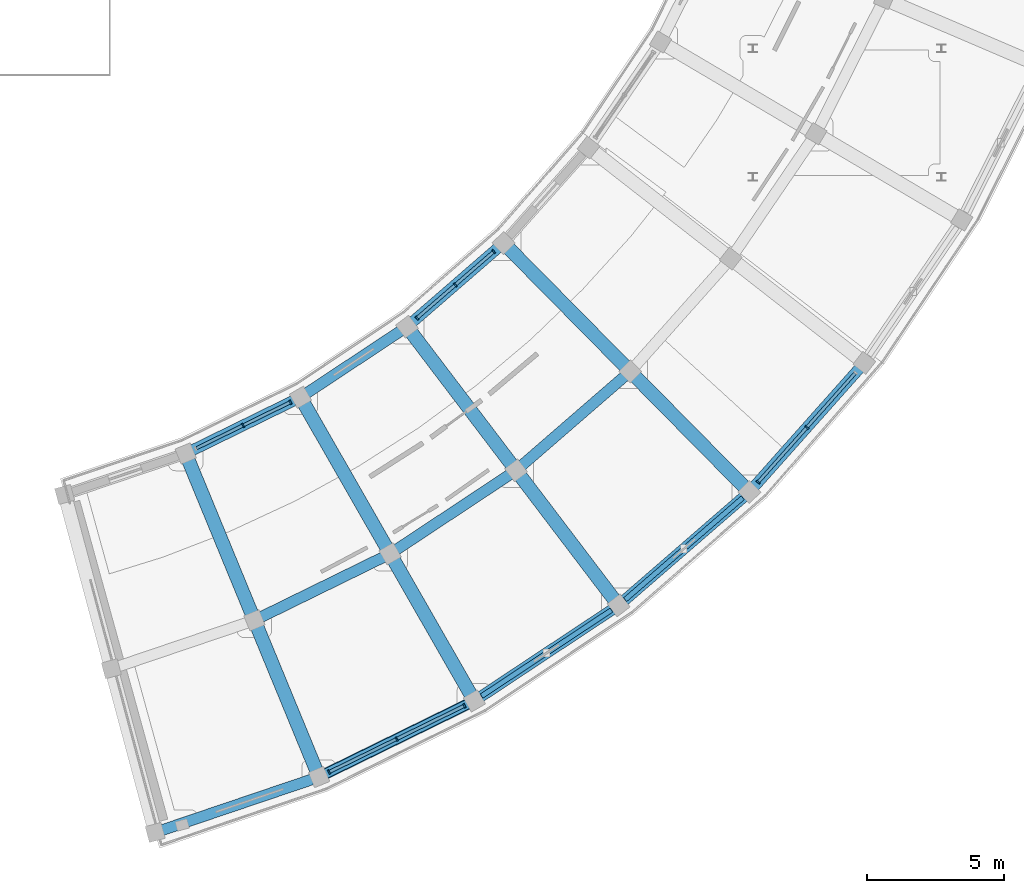
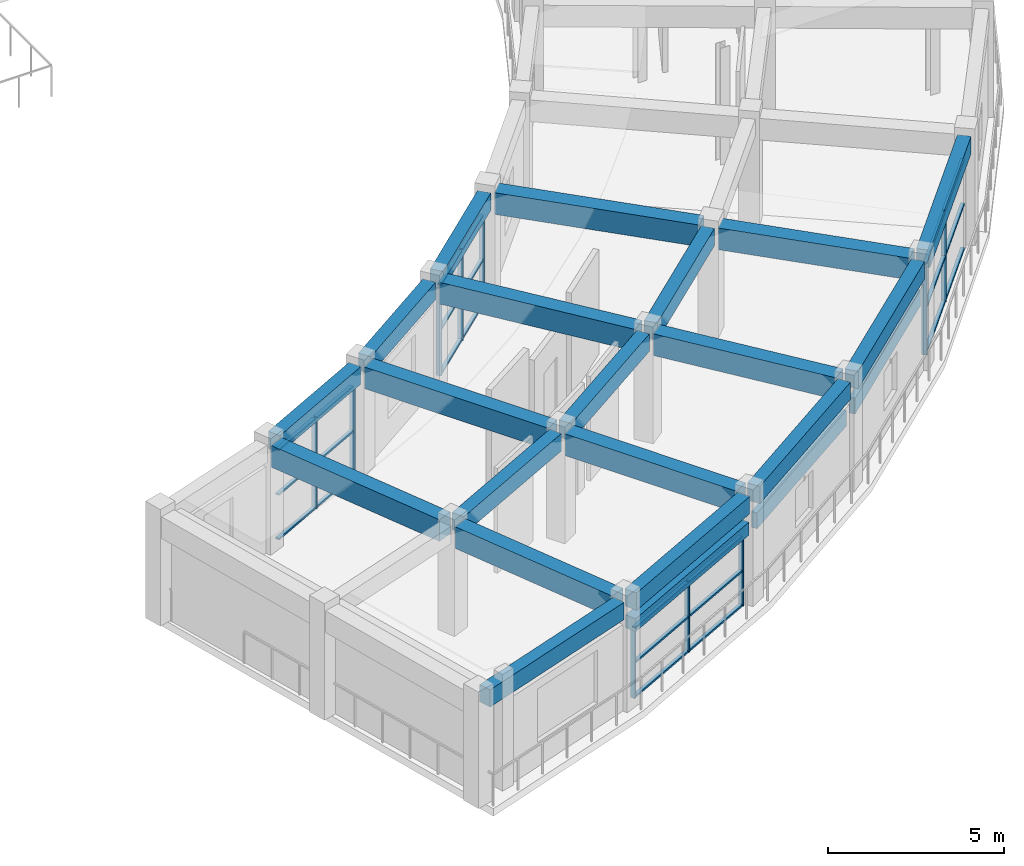
# One storey, part 16 of 53: 36 members, 20 beams, 4 elements without a shape of their own.
"""IFC4 building model written with IfcOpenShell, lengths in metres."""

from ifc_helpers import new_model, si_unit, direction, frame, origin, origin_2d, place, context, subcontext, project, spatial, rectangle, extrude, material, material_profile, profile_set, type_object, element, aggregate, save


model = new_model("IFC4")

# Units and contexts
model_context = context("Model", 3, precision=1e-05, world=origin(), true_north=direction((0.0, 1.0)))
body_context = subcontext(model_context, "Body", "Model", "MODEL_VIEW")
ifc_project = project(units=[si_unit("LENGTHUNIT", "METRE"), si_unit("AREAUNIT", "SQUARE_METRE"), si_unit("VOLUMEUNIT", "CUBIC_METRE"), si_unit("PLANEANGLEUNIT", "RADIAN"), si_unit("MASSUNIT", "GRAM", prefix="KILO")], contexts=[model_context])

# Site, building, storey
site_placement = place(None, origin())
site = spatial("IfcSite", under=ifc_project, at=site_placement, CompositionType="ELEMENT")
building_placement = place(site_placement, origin())
building = spatial("IfcBuilding", under=site, at=building_placement, Name="Saryqyr Civic Hall", CompositionType="ELEMENT")
storey_placement = place(building_placement, frame((0.0, 0.0, 21.300048828125)))
storey = spatial("IfcBuildingStorey", under=building, at=storey_placement, Name="L05", CompositionType="ELEMENT", Elevation=21.300048828125)

# Curtain wall, members
ifc_material_1 = material(Name="Anodised aluminium and triple low-E glass", Category="aluminium")
curtain_wall_type_1 = type_object("IfcCurtainWallType", Name="ENV-CW-STD-03", PredefinedType="NOTDEFINED", material=ifc_material_1)
curtain_wall_1_placement = place(storey_placement, origin())
curtain_wall_1 = element("IfcCurtainWall", 1, at=curtain_wall_1_placement, inside=storey, type_object=curtain_wall_type_1, Name="Curtain wall V5-CWO-L05-01", PredefinedType="NOTDEFINED")
ifc_material_2 = material(Name="Anodised aluminium", Category="aluminium")
ifc_material_profile_1 = material_profile(ifc_material_2, rectangle(XDim=0.06005859375, YDim=0.159912109375, at=origin_2d()), Name="ALU MULLION 60x160")
ifc_profile_set_1 = profile_set([ifc_material_profile_1], Name="Anodised aluminium")
member_type_1 = type_object("IfcMemberType", Name="ENV-CW-MUL-180", PredefinedType="MULLION", material=ifc_profile_set_1)
member_1_placement = place(storey_placement, frame((80.9921875, 41.303955078125, 0.0), z_axis=(0.0, 0.0, 1.0), x_axis=(-0.89797065456, -0.440055341463, 0.0)))
member_1 = element("IfcMember", 2, at=member_1_placement, type_object=member_type_1, Name="CW-03 mullion 1", PredefinedType="MULLION", context=body_context, shape_type="SweptSolid", body=[
    extrude(rectangle(XDim=0.06005859375, YDim=0.159912109375, at=origin_2d()), origin(), (0.0, 0.0, 1.0), 2.449951171875),
])
member_2_placement = place(storey_placement, frame((78.517822265625, 40.09130859375, 0.0), z_axis=(0.0, 0.0, 1.0), x_axis=(-0.89797065456, -0.440055341463, 0.0)))
member_2 = element("IfcMember", 3, at=member_2_placement, type_object=member_type_1, Name="CW-03 mullion 2", PredefinedType="MULLION", context=body_context, shape_type="SweptSolid", body=[
    extrude(rectangle(XDim=0.06005859375, YDim=0.159912109375, at=origin_2d()), origin(), (0.0, 0.0, 1.0), 2.449951171875),
])
member_3_placement = place(storey_placement, frame((76.04345703125, 38.878662109375, 0.0), z_axis=(0.0, 0.0, 1.0), x_axis=(-0.89797065456, -0.440055341463, 0.0)))
member_3 = element("IfcMember", 4, at=member_3_placement, type_object=member_type_1, Name="CW-03 mullion 3", PredefinedType="MULLION", context=body_context, shape_type="SweptSolid", body=[
    extrude(rectangle(XDim=0.06005859375, YDim=0.159912109375, at=origin_2d()), origin(), (0.0, 0.0, 1.0), 2.449951171875),
])

curtain_wall_type_2 = type_object("IfcCurtainWallType", Name="ENV-CW-STD-25", PredefinedType="NOTDEFINED", material=ifc_material_1)
curtain_wall_2_placement = place(storey_placement, origin())
curtain_wall_2 = element("IfcCurtainWall", 5, at=curtain_wall_2_placement, inside=storey, type_object=curtain_wall_type_2, Name="Curtain wall V5-CWI-L05-01", PredefinedType="NOTDEFINED")
member_4_placement = place(storey_placement, frame((72.896728515625, 51.561279296875, 0.0), z_axis=(0.0, 0.0, 1.0), x_axis=(0.897961859945, 0.440073287175, 0.0)))
member_4 = element("IfcMember", 6, at=member_4_placement, type_object=member_type_1, Name="CW-25 mullion 2", PredefinedType="MULLION", context=body_context, shape_type="SweptSolid", body=[
    extrude(rectangle(XDim=0.06005859375, YDim=0.159912109375, at=origin_2d()), origin(), (0.0, 0.0, 1.0), 3.155029296875),
])
member_5_placement = place(storey_placement, frame((74.62890625, 52.41015625, 0.0), z_axis=(0.0, 0.0, 1.0), x_axis=(0.897961859945, 0.440073287175, 0.0)))
member_5 = element("IfcMember", 7, at=member_5_placement, type_object=member_type_1, Name="CW-25 mullion 3", PredefinedType="MULLION", context=body_context, shape_type="SweptSolid", body=[
    extrude(rectangle(XDim=0.06005859375, YDim=0.159912109375, at=origin_2d()), origin(), (0.0, 0.0, 1.0), 3.155029296875),
])

curtain_wall_type_3 = type_object("IfcCurtainWallType", Name="ENV-CW-STD-27", PredefinedType="NOTDEFINED", material=ifc_material_1)
curtain_wall_3_placement = place(storey_placement, origin())
curtain_wall_3 = element("IfcCurtainWall", 8, at=curtain_wall_3_placement, inside=storey, type_object=curtain_wall_type_3, Name="Curtain wall V5-CWI-L05-03", PredefinedType="NOTDEFINED")
member_6_placement = place(storey_placement, frame((79.256591796875, 55.485595703125, 0.0), z_axis=(0.0, 0.0, 1.0), x_axis=(0.755651502076, 0.654973898267, 0.0)))
member_6 = element("IfcMember", 9, at=member_6_placement, type_object=member_type_1, Name="CW-27 mullion 1", PredefinedType="MULLION", context=body_context, shape_type="SweptSolid", body=[
    extrude(rectangle(XDim=0.06005859375, YDim=0.159912109375, at=origin_2d()), origin(), (0.0, 0.0, 1.0), 3.155029296875),
])
member_7_placement = place(storey_placement, frame((80.660400390625, 56.702392578125, 0.0), z_axis=(0.0, 0.0, 1.0), x_axis=(0.755651502076, 0.654973898267, 0.0)))
member_7 = element("IfcMember", 10, at=member_7_placement, type_object=member_type_1, Name="CW-27 mullion 2", PredefinedType="MULLION", context=body_context, shape_type="SweptSolid", body=[
    extrude(rectangle(XDim=0.06005859375, YDim=0.159912109375, at=origin_2d()), origin(), (0.0, 0.0, 1.0), 3.155029296875),
])
member_8_placement = place(storey_placement, frame((82.064208984375, 57.919189453125, 0.0), z_axis=(0.0, 0.0, 1.0), x_axis=(0.755651502076, 0.654973898267, 0.0)))
member_8 = element("IfcMember", 11, at=member_8_placement, type_object=member_type_1, Name="CW-27 mullion 3", PredefinedType="MULLION", context=body_context, shape_type="SweptSolid", body=[
    extrude(rectangle(XDim=0.06005859375, YDim=0.159912109375, at=origin_2d()), origin(), (0.0, 0.0, 1.0), 3.155029296875),
])

curtain_wall_type_4 = type_object("IfcCurtainWallType", Name="ENV-CW-STD-39", PredefinedType="NOTDEFINED", material=ifc_material_1)
curtain_wall_4_placement = place(storey_placement, origin())
curtain_wall_4 = element("IfcCurtainWall", 12, at=curtain_wall_4_placement, inside=storey, type_object=curtain_wall_type_4, Name="Curtain wall V5-CWO-L05-04", PredefinedType="NOTDEFINED")
member_9_placement = place(storey_placement, frame((93.521728515625, 51.486083984375, 0.0), z_axis=(0.0, 0.0, 1.0), x_axis=(-0.664934159467, -0.746901977219, 0.0)))
member_9 = element("IfcMember", 13, at=member_9_placement, type_object=member_type_1, Name="CW-39 mullion 2", PredefinedType="MULLION", context=body_context, shape_type="SweptSolid", body=[
    extrude(rectangle(XDim=0.06005859375, YDim=0.159912109375, at=origin_2d()), origin(), (0.0, 0.0, 1.0), 3.155029296875),
])
member_10_placement = place(storey_placement, frame((91.740234375, 49.485107421875, 0.0), z_axis=(0.0, 0.0, 1.0), x_axis=(-0.664934159467, -0.746901977219, 0.0)))
member_10 = element("IfcMember", 14, at=member_10_placement, type_object=member_type_1, Name="CW-39 mullion 3", PredefinedType="MULLION", context=body_context, shape_type="SweptSolid", body=[
    extrude(rectangle(XDim=0.06005859375, YDim=0.159912109375, at=origin_2d()), origin(), (0.0, 0.0, 1.0), 3.155029296875),
])

# Member
ifc_material_profile_2 = material_profile(ifc_material_2, rectangle(XDim=0.1201171875, YDim=0.06005859375, at=origin_2d()), Name="ALU TRANSOM 120x60")
ifc_profile_set_2 = profile_set([ifc_material_profile_2], Name="Anodised aluminium")
member_type_2 = type_object("IfcMemberType", Name="ENV-CW-TRN-150", PredefinedType="USERDEFINED", material=ifc_profile_set_2)
member_11_placement = place(storey_placement, frame((80.96533203125, 41.290771484375, 0.030029296875), z_axis=(-0.89796703975, -0.440062717715, 0.0), x_axis=(0.440062717715, -0.89796703975, 0.0)))
member_11 = element("IfcMember", 15, at=member_11_placement, type_object=member_type_2, Name="CW-03 transom 1.1", ObjectType="TRANSOM", PredefinedType="USERDEFINED", context=body_context, shape_type="SweptSolid", body=[
    extrude(rectangle(XDim=0.1201171875, YDim=0.06005859375, at=origin_2d()), origin(), (0.0, 0.0, 1.0), 2.69580078125),
])

member_12_placement = place(storey_placement, frame((80.96533203125, 41.290771484375, 1.224853515625), z_axis=(-0.89796703975, -0.440062717715, 0.0), x_axis=(0.440062717715, -0.89796703975, 0.0)))
member_12 = element("IfcMember", 16, at=member_12_placement, type_object=member_type_2, Name="CW-03 transom 1.2", ObjectType="TRANSOM", PredefinedType="USERDEFINED", context=body_context, shape_type="SweptSolid", body=[
    extrude(rectangle(XDim=0.1201171875, YDim=0.06005859375, at=origin_2d()), origin(), (0.0, 0.0, 1.0), 2.69580078125),
])

member_13_placement = place(storey_placement, frame((80.96533203125, 41.290771484375, 2.419921875), z_axis=(-0.89796703975, -0.440062717715, 0.0), x_axis=(0.440062717715, -0.89796703975, 0.0)))
member_13 = element("IfcMember", 17, at=member_13_placement, type_object=member_type_2, Name="CW-03 transom 1.3", ObjectType="TRANSOM", PredefinedType="USERDEFINED", context=body_context, shape_type="SweptSolid", body=[
    extrude(rectangle(XDim=0.1201171875, YDim=0.06005859375, at=origin_2d()), origin(), (0.0, 0.0, 1.0), 2.69580078125),
])

member_14_placement = place(storey_placement, frame((78.49072265625, 40.078125, 0.030029296875), z_axis=(-0.897949498933, -0.440098508706, 0.0), x_axis=(0.440098508706, -0.897949498933, 0.0)))
member_14 = element("IfcMember", 18, at=member_14_placement, type_object=member_type_2, Name="CW-03 transom 2.1", ObjectType="TRANSOM", PredefinedType="USERDEFINED", context=body_context, shape_type="SweptSolid", body=[
    extrude(rectangle(XDim=0.1201171875, YDim=0.06005859375, at=origin_2d()), origin(), (0.0, 0.0, 1.0), 2.695556640625),
])

member_15_placement = place(storey_placement, frame((78.49072265625, 40.078125, 1.224853515625), z_axis=(-0.897949498933, -0.440098508706, 0.0), x_axis=(0.440098508706, -0.897949498933, 0.0)))
member_15 = element("IfcMember", 19, at=member_15_placement, type_object=member_type_2, Name="CW-03 transom 2.2", ObjectType="TRANSOM", PredefinedType="USERDEFINED", context=body_context, shape_type="SweptSolid", body=[
    extrude(rectangle(XDim=0.1201171875, YDim=0.06005859375, at=origin_2d()), origin(), (0.0, 0.0, 1.0), 2.695556640625),
])

member_16_placement = place(storey_placement, frame((78.49072265625, 40.078125, 2.419921875), z_axis=(-0.897949498933, -0.440098508706, 0.0), x_axis=(0.440098508706, -0.897949498933, 0.0)))
member_16 = element("IfcMember", 20, at=member_16_placement, type_object=member_type_2, Name="CW-03 transom 2.3", ObjectType="TRANSOM", PredefinedType="USERDEFINED", context=body_context, shape_type="SweptSolid", body=[
    extrude(rectangle(XDim=0.1201171875, YDim=0.06005859375, at=origin_2d()), origin(), (0.0, 0.0, 1.0), 2.695556640625),
])

aggregate(curtain_wall_1, [member_1, member_2, member_3, member_11, member_12, member_13, member_14, member_15, member_16])

member_17_placement = place(storey_placement, frame((71.191650390625, 50.7255859375, 0.030029296875), z_axis=(0.897952102471, 0.44009319657, 0.0), x_axis=(-0.44009319657, 0.897952102471, 0.0)))
member_17 = element("IfcMember", 21, at=member_17_placement, type_object=member_type_2, Name="CW-25 transom 1.1", ObjectType="TRANSOM", PredefinedType="USERDEFINED", context=body_context, shape_type="SweptSolid", body=[
    extrude(rectangle(XDim=0.1201171875, YDim=0.06005859375, at=origin_2d()), origin(), (0.0, 0.0, 1.0), 1.868896484375),
])

member_18_placement = place(storey_placement, frame((71.191650390625, 50.7255859375, 1.577880859375), z_axis=(0.897952102471, 0.44009319657, 0.0), x_axis=(-0.44009319657, 0.897952102471, 0.0)))
member_18 = element("IfcMember", 22, at=member_18_placement, type_object=member_type_2, Name="CW-25 transom 1.2", ObjectType="TRANSOM", PredefinedType="USERDEFINED", context=body_context, shape_type="SweptSolid", body=[
    extrude(rectangle(XDim=0.1201171875, YDim=0.06005859375, at=origin_2d()), origin(), (0.0, 0.0, 1.0), 1.868896484375),
])

member_19_placement = place(storey_placement, frame((71.191650390625, 50.7255859375, 3.125), z_axis=(0.897952102471, 0.44009319657, 0.0), x_axis=(-0.44009319657, 0.897952102471, 0.0)))
member_19 = element("IfcMember", 23, at=member_19_placement, type_object=member_type_2, Name="CW-25 transom 1.3", ObjectType="TRANSOM", PredefinedType="USERDEFINED", context=body_context, shape_type="SweptSolid", body=[
    extrude(rectangle(XDim=0.1201171875, YDim=0.06005859375, at=origin_2d()), origin(), (0.0, 0.0, 1.0), 1.868896484375),
])

member_20_placement = place(storey_placement, frame((72.923828125, 51.574462890625, 0.030029296875), z_axis=(0.897952102471, 0.44009319657, 0.0), x_axis=(-0.44009319657, 0.897952102471, 0.0)))
member_20 = element("IfcMember", 24, at=member_20_placement, type_object=member_type_2, Name="CW-25 transom 2.1", ObjectType="TRANSOM", PredefinedType="USERDEFINED", context=body_context, shape_type="SweptSolid", body=[
    extrude(rectangle(XDim=0.1201171875, YDim=0.06005859375, at=origin_2d()), origin(), (0.0, 0.0, 1.0), 1.868896484375),
])

member_21_placement = place(storey_placement, frame((72.923828125, 51.574462890625, 1.577880859375), z_axis=(0.897952102471, 0.44009319657, 0.0), x_axis=(-0.44009319657, 0.897952102471, 0.0)))
member_21 = element("IfcMember", 25, at=member_21_placement, type_object=member_type_2, Name="CW-25 transom 2.2", ObjectType="TRANSOM", PredefinedType="USERDEFINED", context=body_context, shape_type="SweptSolid", body=[
    extrude(rectangle(XDim=0.1201171875, YDim=0.06005859375, at=origin_2d()), origin(), (0.0, 0.0, 1.0), 1.868896484375),
])

member_22_placement = place(storey_placement, frame((72.923828125, 51.574462890625, 3.125), z_axis=(0.897952102471, 0.44009319657, 0.0), x_axis=(-0.44009319657, 0.897952102471, 0.0)))
member_22 = element("IfcMember", 26, at=member_22_placement, type_object=member_type_2, Name="CW-25 transom 2.3", ObjectType="TRANSOM", PredefinedType="USERDEFINED", context=body_context, shape_type="SweptSolid", body=[
    extrude(rectangle(XDim=0.1201171875, YDim=0.06005859375, at=origin_2d()), origin(), (0.0, 0.0, 1.0), 1.868896484375),
])

aggregate(curtain_wall_2, [member_4, member_5, member_17, member_18, member_19, member_20, member_21, member_22])

member_23_placement = place(storey_placement, frame((79.279296875, 55.50537109375, 0.030029296875), z_axis=(0.755630827507, 0.654997750012, 0.0), x_axis=(-0.654997750012, 0.755630827507, 0.0)))
member_23 = element("IfcMember", 27, at=member_23_placement, type_object=member_type_2, Name="CW-27 transom 1.1", ObjectType="TRANSOM", PredefinedType="USERDEFINED", context=body_context, shape_type="SweptSolid", body=[
    extrude(rectangle(XDim=0.1201171875, YDim=0.06005859375, at=origin_2d()), origin(), (0.0, 0.0, 1.0), 1.797607421875),
])

member_24_placement = place(storey_placement, frame((79.279296875, 55.50537109375, 1.577880859375), z_axis=(0.755630827507, 0.654997750012, 0.0), x_axis=(-0.654997750012, 0.755630827507, 0.0)))
member_24 = element("IfcMember", 28, at=member_24_placement, type_object=member_type_2, Name="CW-27 transom 1.2", ObjectType="TRANSOM", PredefinedType="USERDEFINED", context=body_context, shape_type="SweptSolid", body=[
    extrude(rectangle(XDim=0.1201171875, YDim=0.06005859375, at=origin_2d()), origin(), (0.0, 0.0, 1.0), 1.797607421875),
])

member_25_placement = place(storey_placement, frame((79.279296875, 55.50537109375, 3.125), z_axis=(0.755630827507, 0.654997750012, 0.0), x_axis=(-0.654997750012, 0.755630827507, 0.0)))
member_25 = element("IfcMember", 29, at=member_25_placement, type_object=member_type_2, Name="CW-27 transom 1.3", ObjectType="TRANSOM", PredefinedType="USERDEFINED", context=body_context, shape_type="SweptSolid", body=[
    extrude(rectangle(XDim=0.1201171875, YDim=0.06005859375, at=origin_2d()), origin(), (0.0, 0.0, 1.0), 1.797607421875),
])

member_26_placement = place(storey_placement, frame((80.68310546875, 56.72216796875, 0.030029296875), z_axis=(0.755698045408, 0.654920196793, 0.0), x_axis=(-0.654920196793, 0.755698045408, 0.0)))
member_26 = element("IfcMember", 30, at=member_26_placement, type_object=member_type_2, Name="CW-27 transom 2.1", ObjectType="TRANSOM", PredefinedType="USERDEFINED", context=body_context, shape_type="SweptSolid", body=[
    extrude(rectangle(XDim=0.1201171875, YDim=0.06005859375, at=origin_2d()), origin(), (0.0, 0.0, 1.0), 1.797607421875),
])

member_27_placement = place(storey_placement, frame((80.68310546875, 56.72216796875, 1.577880859375), z_axis=(0.755698045408, 0.654920196793, 0.0), x_axis=(-0.654920196793, 0.755698045408, 0.0)))
member_27 = element("IfcMember", 31, at=member_27_placement, type_object=member_type_2, Name="CW-27 transom 2.2", ObjectType="TRANSOM", PredefinedType="USERDEFINED", context=body_context, shape_type="SweptSolid", body=[
    extrude(rectangle(XDim=0.1201171875, YDim=0.06005859375, at=origin_2d()), origin(), (0.0, 0.0, 1.0), 1.797607421875),
])

member_28_placement = place(storey_placement, frame((80.68310546875, 56.72216796875, 3.125), z_axis=(0.755698045408, 0.654920196793, 0.0), x_axis=(-0.654920196793, 0.755698045408, 0.0)))
member_28 = element("IfcMember", 32, at=member_28_placement, type_object=member_type_2, Name="CW-27 transom 2.3", ObjectType="TRANSOM", PredefinedType="USERDEFINED", context=body_context, shape_type="SweptSolid", body=[
    extrude(rectangle(XDim=0.1201171875, YDim=0.06005859375, at=origin_2d()), origin(), (0.0, 0.0, 1.0), 1.797607421875),
])

aggregate(curtain_wall_3, [member_6, member_7, member_8, member_23, member_24, member_25, member_26, member_27, member_28])

member_29_placement = place(storey_placement, frame((95.283203125, 53.464599609375, 0.030029296875), z_axis=(-0.664948037302, -0.746889622159, 0.0), x_axis=(0.746889622159, -0.664948037302, 0.0)))
member_29 = element("IfcMember", 33, at=member_29_placement, type_object=member_type_2, Name="CW-39 transom 1.1", ObjectType="TRANSOM", PredefinedType="USERDEFINED", context=body_context, shape_type="SweptSolid", body=[
    extrude(rectangle(XDim=0.1201171875, YDim=0.06005859375, at=origin_2d()), origin(), (0.0, 0.0, 1.0), 2.618896484375),
])

member_30_placement = place(storey_placement, frame((95.283203125, 53.464599609375, 1.577880859375), z_axis=(-0.664948037302, -0.746889622159, 0.0), x_axis=(0.746889622159, -0.664948037302, 0.0)))
member_30 = element("IfcMember", 34, at=member_30_placement, type_object=member_type_2, Name="CW-39 transom 1.2", ObjectType="TRANSOM", PredefinedType="USERDEFINED", context=body_context, shape_type="SweptSolid", body=[
    extrude(rectangle(XDim=0.1201171875, YDim=0.06005859375, at=origin_2d()), origin(), (0.0, 0.0, 1.0), 2.618896484375),
])

member_31_placement = place(storey_placement, frame((95.283203125, 53.464599609375, 3.125), z_axis=(-0.664948037302, -0.746889622159, 0.0), x_axis=(0.746889622159, -0.664948037302, 0.0)))
member_31 = element("IfcMember", 35, at=member_31_placement, type_object=member_type_2, Name="CW-39 transom 1.3", ObjectType="TRANSOM", PredefinedType="USERDEFINED", context=body_context, shape_type="SweptSolid", body=[
    extrude(rectangle(XDim=0.1201171875, YDim=0.06005859375, at=origin_2d()), origin(), (0.0, 0.0, 1.0), 2.618896484375),
])

member_32_placement = place(storey_placement, frame((93.501708984375, 51.463623046875, 0.030029296875), z_axis=(-0.664948037302, -0.746889622159, 0.0), x_axis=(0.746889622159, -0.664948037302, 0.0)))
member_32 = element("IfcMember", 36, at=member_32_placement, type_object=member_type_2, Name="CW-39 transom 2.1", ObjectType="TRANSOM", PredefinedType="USERDEFINED", context=body_context, shape_type="SweptSolid", body=[
    extrude(rectangle(XDim=0.1201171875, YDim=0.06005859375, at=origin_2d()), origin(), (0.0, 0.0, 1.0), 2.618896484375),
])

member_33_placement = place(storey_placement, frame((93.501708984375, 51.463623046875, 1.577880859375), z_axis=(-0.664948037302, -0.746889622159, 0.0), x_axis=(0.746889622159, -0.664948037302, 0.0)))
member_33 = element("IfcMember", 37, at=member_33_placement, type_object=member_type_2, Name="CW-39 transom 2.2", ObjectType="TRANSOM", PredefinedType="USERDEFINED", context=body_context, shape_type="SweptSolid", body=[
    extrude(rectangle(XDim=0.1201171875, YDim=0.06005859375, at=origin_2d()), origin(), (0.0, 0.0, 1.0), 2.618896484375),
])

member_34_placement = place(storey_placement, frame((93.501708984375, 51.463623046875, 3.125), z_axis=(-0.664948037302, -0.746889622159, 0.0), x_axis=(0.746889622159, -0.664948037302, 0.0)))
member_34 = element("IfcMember", 38, at=member_34_placement, type_object=member_type_2, Name="CW-39 transom 2.3", ObjectType="TRANSOM", PredefinedType="USERDEFINED", context=body_context, shape_type="SweptSolid", body=[
    extrude(rectangle(XDim=0.1201171875, YDim=0.06005859375, at=origin_2d()), origin(), (0.0, 0.0, 1.0), 2.618896484375),
])

aggregate(curtain_wall_4, [member_9, member_10, member_29, member_30, member_31, member_32, member_33, member_34])

# Members
ifc_material_3 = material(Name="Precast concrete C40/50", Category="concrete")
ifc_material_profile_3 = material_profile(ifc_material_3, rectangle(XDim=0.179931640625, YDim=0.550048828125, at=origin_2d()), Name="PC FIN 180x550")
ifc_profile_set_3 = profile_set([ifc_material_profile_3], Name="Precast concrete C40/50")
member_type_3 = type_object("IfcMemberType", Name="ENV-FIN-PC550", PredefinedType="USERDEFINED", material=ifc_profile_set_3)
member_35_placement = place(storey_placement, frame((81.624267578125, 41.6591796875, 2.52001953125), z_axis=(0.833761786354, 0.552124337098, 0.0), x_axis=(-0.552124337098, 0.833761786354, 0.0)))
element("IfcMember", 39, at=member_35_placement, inside=storey, type_object=member_type_3, Name="Precast horizontal solar brise-soleil fin V5-L05-02", ObjectType="SOLAR_FIN", PredefinedType="USERDEFINED", context=body_context, shape_type="SweptSolid", body=[
    extrude(rectangle(XDim=0.179931640625, YDim=0.550048828125, at=origin_2d()), origin(), (0.0, 0.0, 1.0), 5.692626953125),
])
member_36_placement = place(storey_placement, frame((86.8759765625, 45.18603515625, 2.52001953125), z_axis=(0.755663609993, 0.654959928952, 0.0), x_axis=(-0.654959928952, 0.755663609993, 0.0)))
element("IfcMember", 40, at=member_36_placement, inside=storey, type_object=member_type_3, Name="Precast horizontal solar brise-soleil fin V5-L05-03", ObjectType="SOLAR_FIN", PredefinedType="USERDEFINED", context=body_context, shape_type="SweptSolid", body=[
    extrude(rectangle(XDim=0.179931640625, YDim=0.550048828125, at=origin_2d()), origin(), (0.0, 0.0, 1.0), 5.6923828125),
])

# Beams
ifc_material_4 = material(Name="Concrete C35/45", Category="concrete")
ifc_material_profile_4 = material_profile(ifc_material_4, rectangle(XDim=0.39990234375, YDim=0.60009765625, at=origin_2d()), Name="RC 400x600")
ifc_profile_set_4 = profile_set([ifc_material_profile_4], Name="Concrete C35/45")
beam_type_1 = type_object("IfcBeamType", Name="STR-BM-RC400x600", PredefinedType="BEAM", material=ifc_profile_set_4)
for number, where, z_axis, x_axis, name in (
    (41, (73.560302734375, 44.552001953125, 3.47998046875), (0.897969369862, 0.440057962989, 0.0), (-0.440057962989, 0.897969369862, 0.0), "Beam V5-CBM-MID01-L05"),
    (42, (78.50634765625, 47.01513671875, 3.47998046875), (0.833759218515, 0.552128214767, 0.0), (-0.552128214767, 0.833759218515, 0.0), "Beam V5-CBM-MID02-L05"),
):
    element("IfcBeam", number, at=place(storey_placement, frame(where, z_axis=z_axis, x_axis=x_axis)), inside=storey, type_object=beam_type_1, Name=name, PredefinedType="BEAM", context=body_context, shape_type="SweptSolid", body=[
        extrude(rectangle(XDim=0.39990234375, YDim=0.60009765625, at=origin_2d()), origin(), (0.0, 0.0, 1.0), 4.9775390625),
    ])
beam_1_placement = place(storey_placement, frame((83.093505859375, 50.095458984375, 3.47998046875), z_axis=(0.755658334576, 0.654966015443, 0.0), x_axis=(-0.654966015443, 0.755658334576, 0.0)))
element("IfcBeam", 43, at=beam_1_placement, inside=storey, type_object=beam_type_1, Name="Beam V5-CBM-MID03-L05", PredefinedType="BEAM", context=body_context, shape_type="SweptSolid", body=[
    extrude(rectangle(XDim=0.39990234375, YDim=0.60009765625, at=origin_2d()), origin(), (0.0, 0.0, 1.0), 4.977783203125),
])
ifc_material_profile_5 = material_profile(ifc_material_4, rectangle(XDim=0.39990234375, YDim=0.60009765625, at=origin_2d()), Name="RC 400x600")
ifc_profile_set_5 = profile_set([ifc_material_profile_5], Name="Concrete C35/45")
beam_type_2 = type_object("IfcBeamType", Name="STR-BM-RC400x600-EXT", PredefinedType="BEAM", material=ifc_profile_set_5)
beam_2_placement = place(storey_placement, frame((69.942626953125, 36.7578125, 3.47998046875), z_axis=(0.947202743772, 0.320635247892, 0.0), x_axis=(-0.320635247892, 0.947202743772, 0.0)))
element("IfcBeam", 44, at=beam_2_placement, inside=storey, type_object=beam_type_2, Name="Beam V5-CBM-OUT00-L05", PredefinedType="BEAM", context=body_context, shape_type="SweptSolid", body=[
    extrude(rectangle(XDim=0.39990234375, YDim=0.60009765625, at=origin_2d()), origin(), (0.0, 0.0, 1.0), 5.778564453125),
])
beam_3_placement = place(storey_placement, frame((71.044677734375, 50.653564453125, 3.47998046875), z_axis=(0.897961536886, 0.440073946371, 0.0), x_axis=(-0.440073946371, 0.897961536886, 0.0)))
element("IfcBeam", 45, at=beam_3_placement, inside=storey, type_object=beam_type_2, Name="Beam V5-CBM-IN01-L05", PredefinedType="BEAM", context=body_context, shape_type="SweptSolid", body=[
    extrude(rectangle(XDim=0.39990234375, YDim=0.60009765625, at=origin_2d()), origin(), (0.0, 0.0, 1.0), 4.125244140625),
])
beam_4_placement = place(storey_placement, frame((75.92333984375, 38.81982421875, 3.47998046875), z_axis=(0.897964591433, 0.440067713577, 0.0), x_axis=(-0.440067713577, 0.897964591433, 0.0)))
element("IfcBeam", 46, at=beam_4_placement, inside=storey, type_object=beam_type_2, Name="Beam V5-CBM-OUT01-L05", PredefinedType="BEAM", context=body_context, shape_type="SweptSolid", body=[
    extrude(rectangle(XDim=0.39990234375, YDim=0.60009765625, at=origin_2d()), origin(), (0.0, 0.0, 1.0), 5.778564453125),
])
beam_5_placement = place(storey_placement, frame((75.22509765625, 52.74169921875, 3.47998046875), z_axis=(0.833757941264, 0.552130143516, 0.0), x_axis=(-0.552130143516, 0.833757941264, 0.0)))
element("IfcBeam", 47, at=beam_5_placement, inside=storey, type_object=beam_type_2, Name="Beam V5-CBM-IN02-L05", PredefinedType="BEAM", context=body_context, shape_type="SweptSolid", body=[
    extrude(rectangle(XDim=0.39990234375, YDim=0.60009765625, at=origin_2d()), origin(), (0.0, 0.0, 1.0), 4.12548828125),
])
beam_6_placement = place(storey_placement, frame((81.58837890625, 41.635498046875, 3.47998046875), z_axis=(0.833762314581, 0.552123539422, 0.0), x_axis=(-0.552123539422, 0.833762314581, 0.0)))
element("IfcBeam", 48, at=beam_6_placement, inside=storey, type_object=beam_type_2, Name="Beam V5-CBM-OUT02-L05", PredefinedType="BEAM", context=body_context, shape_type="SweptSolid", body=[
    extrude(rectangle(XDim=0.39990234375, YDim=0.60009765625, at=origin_2d()), origin(), (0.0, 0.0, 1.0), 5.778564453125),
])
beam_7_placement = place(storey_placement, frame((79.101806640625, 55.351318359375, 3.47998046875), z_axis=(0.755618782617, 0.655011645207, 0.0), x_axis=(-0.655011645207, 0.755618782617, 0.0)))
element("IfcBeam", 49, at=beam_7_placement, inside=storey, type_object=beam_type_2, Name="Beam V5-CBM-IN03-L05", PredefinedType="BEAM", context=body_context, shape_type="SweptSolid", body=[
    extrude(rectangle(XDim=0.39990234375, YDim=0.60009765625, at=origin_2d()), origin(), (0.0, 0.0, 1.0), 4.125244140625),
])
for number, where, z_axis, x_axis, name in (
    (50, (86.843505859375, 45.157958984375, 3.47998046875), (0.755654230233, 0.654970750745, 0.0), (-0.654970750745, 0.755654230233, 0.0), "Beam V5-CBM-OUT03-L05"),
    (51, (91.6005859375, 49.328125, 3.47998046875), (0.664935334845, 0.74690093083, 0.0), (-0.74690093083, 0.664935334845, 0.0), "Beam V5-CBM-OUT04-L05"),
):
    element("IfcBeam", number, at=place(storey_placement, frame(where, z_axis=z_axis, x_axis=x_axis)), inside=storey, type_object=beam_type_2, Name=name, PredefinedType="BEAM", context=body_context, shape_type="SweptSolid", body=[
        extrude(rectangle(XDim=0.39990234375, YDim=0.60009765625, at=origin_2d()), origin(), (0.0, 0.0, 1.0), 5.7783203125),
    ])
ifc_material_5 = material(Name="Concrete C40/50", Category="concrete")
ifc_material_profile_6 = material_profile(ifc_material_5, rectangle(XDim=0.5, YDim=0.75, at=origin_2d()), Name="RC 500x750")
ifc_profile_set_6 = profile_set([ifc_material_profile_6], Name="Concrete C40/50")
beam_type_3 = type_object("IfcBeamType", Name="STR-BM-RC500x750", PredefinedType="BEAM", material=ifc_profile_set_6)
beam_8_placement = place(storey_placement, frame((70.902587890625, 50.2783203125, 3.405029296875), z_axis=(0.381145552092, -0.924515044832, 0.0), x_axis=(0.924515044832, 0.381145552092, 0.0)))
element("IfcBeam", 52, at=beam_8_placement, inside=storey, type_object=beam_type_3, Name="Beam V5-RBM-A01-L05", PredefinedType="BEAM", context=body_context, shape_type="SweptSolid", body=[
    extrude(rectangle(XDim=0.5, YDim=0.75, at=origin_2d()), origin(), (0.0, 0.0, 1.0), 6.050048828125),
])
beam_9_placement = place(storey_placement, frame((73.418212890625, 44.1767578125, 3.405029296875), z_axis=(0.381114889866, -0.924527685212, 0.0), x_axis=(0.924527685212, 0.381114889866, 0.0)))
element("IfcBeam", 53, at=beam_9_placement, inside=storey, type_object=beam_type_3, Name="Beam V5-RBM-B01-L05", PredefinedType="BEAM", context=body_context, shape_type="SweptSolid", body=[
    extrude(rectangle(XDim=0.5, YDim=0.75, at=origin_2d()), origin(), (0.0, 0.0, 1.0), 5.650146484375),
])
beam_10_placement = place(storey_placement, frame((75.132568359375, 52.351318359375, 3.405029296875), z_axis=(0.497164210685, -0.867656468664, 0.0), x_axis=(0.867656468664, 0.497164210685, 0.0)))
element("IfcBeam", 54, at=beam_10_placement, inside=storey, type_object=beam_type_3, Name="Beam V5-RBM-A02-L05", PredefinedType="BEAM", context=body_context, shape_type="SweptSolid", body=[
    extrude(rectangle(XDim=0.5, YDim=0.75, at=origin_2d()), origin(), (0.0, 0.0, 1.0), 6.050048828125),
])
beam_11_placement = place(storey_placement, frame((78.413818359375, 46.624755859375, 3.405029296875), z_axis=(0.497106570518, -0.867689493741, 0.0), x_axis=(0.867689493741, 0.497106570518, 0.0)))
element("IfcBeam", 55, at=beam_11_placement, inside=storey, type_object=beam_type_3, Name="Beam V5-RBM-B02-L05", PredefinedType="BEAM", context=body_context, shape_type="SweptSolid", body=[
    extrude(rectangle(XDim=0.5, YDim=0.75, at=origin_2d()), origin(), (0.0, 0.0, 1.0), 5.64990234375),
])
beam_12_placement = place(storey_placement, frame((79.060302734375, 54.952392578125, 3.405029296875), z_axis=(0.60481209734, -0.796368210636, 0.0), x_axis=(0.796368210636, 0.60481209734, 0.0)))
element("IfcBeam", 56, at=beam_12_placement, inside=storey, type_object=beam_type_3, Name="Beam V5-RBM-A03-L05", PredefinedType="BEAM", context=body_context, shape_type="SweptSolid", body=[
    extrude(rectangle(XDim=0.5, YDim=0.75, at=origin_2d()), origin(), (0.0, 0.0, 1.0), 6.050048828125),
])
beam_13_placement = place(storey_placement, frame((83.052001953125, 49.6962890625, 3.405029296875), z_axis=(0.604814812056, -0.796366148903, 0.0), x_axis=(0.796366148903, 0.604814812056, 0.0)))
element("IfcBeam", 57, at=beam_13_placement, inside=storey, type_object=beam_type_3, Name="Beam V5-RBM-B03-L05", PredefinedType="BEAM", context=body_context, shape_type="SweptSolid", body=[
    extrude(rectangle(XDim=0.5, YDim=0.75, at=origin_2d()), origin(), (0.0, 0.0, 1.0), 5.650146484375),
])
beam_14_placement = place(storey_placement, frame((82.6201171875, 58.037841796875, 3.405029296875), z_axis=(0.702389990829, -0.711792315766, 0.0), x_axis=(0.711792315766, 0.702389990829, 0.0)))
element("IfcBeam", 58, at=beam_14_placement, inside=storey, type_object=beam_type_3, Name="Beam V5-RBM-A04-L05", PredefinedType="BEAM", context=body_context, shape_type="SweptSolid", body=[
    extrude(rectangle(XDim=0.5, YDim=0.75, at=origin_2d()), origin(), (0.0, 0.0, 1.0), 6.050048828125),
])
beam_15_placement = place(storey_placement, frame((87.256103515625, 53.340087890625, 3.405029296875), z_axis=(0.702381187414, -0.711801002785, 0.0), x_axis=(0.711801002785, 0.702381187414, 0.0)))
element("IfcBeam", 59, at=beam_15_placement, inside=storey, type_object=beam_type_3, Name="Beam V5-RBM-B04-L05", PredefinedType="BEAM", context=body_context, shape_type="SweptSolid", body=[
    extrude(rectangle(XDim=0.5, YDim=0.75, at=origin_2d()), origin(), (0.0, 0.0, 1.0), 5.650146484375),
])
ifc_material_profile_7 = material_profile(ifc_material_3, rectangle(XDim=0.35009765625, YDim=0.449951171875, at=origin_2d()), Name="RC 350x450")
ifc_profile_set_7 = profile_set([ifc_material_profile_7], Name="Precast concrete C40/50")
beam_type_4 = type_object("IfcBeamType", Name="STR-LIN-RC350x450", PredefinedType="LINTEL", material=ifc_profile_set_7)
beam_16_placement = place(storey_placement, frame((75.92333984375, 38.81982421875, 2.655029296875), z_axis=(0.897964591433, 0.440067713577, 0.0), x_axis=(-0.440067713577, 0.897964591433, 0.0)))
element("IfcBeam", 60, at=beam_16_placement, inside=storey, type_object=beam_type_4, Name="Beam V5-LIN-01-L05", PredefinedType="LINTEL", context=body_context, shape_type="SweptSolid", body=[
    extrude(rectangle(XDim=0.35009765625, YDim=0.449951171875, at=origin_2d()), origin(), (0.0, 0.0, 1.0), 5.778564453125),
])

save(model, "model.ifc")
